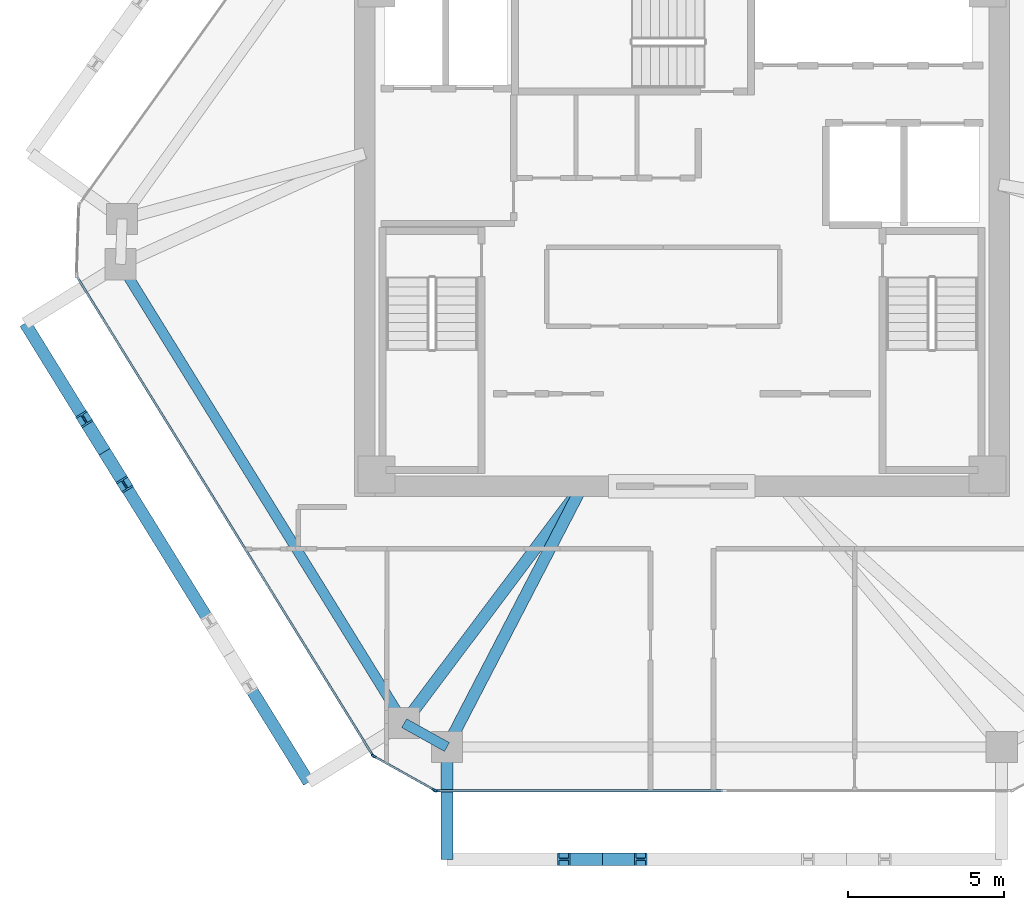
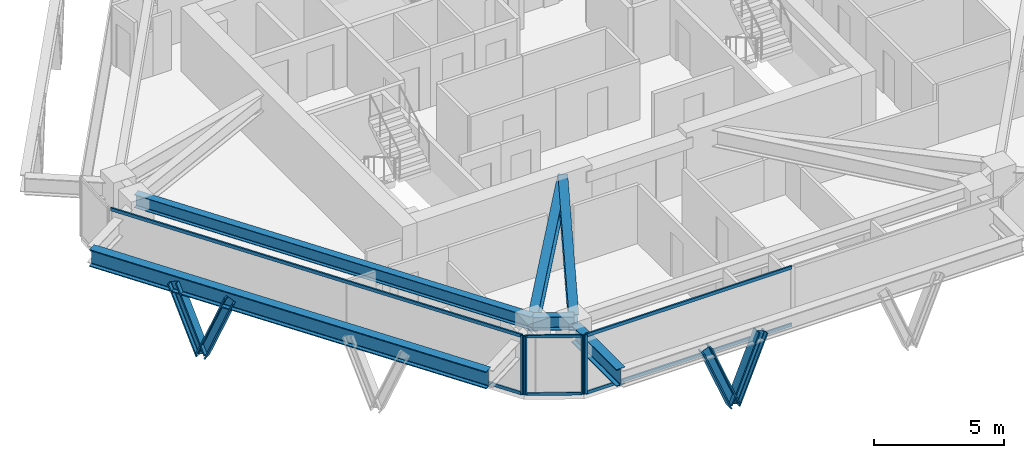
# One storey, part 2 of 12: 14 members, 6 beams, 3 elements without a shape of their own.
"""IFC4 building model written with IfcOpenShell, lengths in metres."""

from ifc_helpers import new_model, si_unit, direction, frame, origin, origin_2d, place, context, subcontext, project, spatial, rectangle, i_section, extrude, source, transform, mapped, material, layer, layer_set, material_profile, profile_set, type_object, type_shapes, element, aggregate, save


model = new_model("IFC4")

# Units and contexts
model_context = context("Model", 3, precision=1e-05, world=origin(), true_north=direction((0.0, 1.0)))
body_context = subcontext(model_context, "Body", "Model", "MODEL_VIEW")
ifc_project = project(units=[si_unit("LENGTHUNIT", "METRE"), si_unit("AREAUNIT", "SQUARE_METRE"), si_unit("VOLUMEUNIT", "CUBIC_METRE"), si_unit("PLANEANGLEUNIT", "RADIAN"), si_unit("MASSUNIT", "GRAM", prefix="KILO")], contexts=[model_context])

# Site, building, storey
site_placement = place(None, origin())
site = spatial("IfcSite", under=ifc_project, at=site_placement, CompositionType="ELEMENT")
building_placement = place(site_placement, origin())
building = spatial("IfcBuilding", under=site, at=building_placement, Name="Durnholm Broadcast Tower", CompositionType="ELEMENT")
storey_placement = place(building_placement, frame((0.0, 0.0, 203.199951171875)))
storey = spatial("IfcBuildingStorey", under=building, at=storey_placement, Name="L56", CompositionType="ELEMENT", Elevation=203.199951171875)

# Beams
ifc_material_1 = material(Name="Steel ASTM A992 Grade 50", Category="steel")
ifc_material_profile_1 = material_profile(ifc_material_1, i_section(OverallWidth=0.385009765625, OverallDepth=0.802978515625, WebThickness=0.023681640625, FlangeThickness=0.0419921875, FilletRadius=0.032958984375, at=origin_2d()), Name="W30X261")
ifc_profile_set_1 = profile_set([ifc_material_profile_1], Name="Steel ASTM A992 Grade 50")
beam_type_1 = type_object("IfcBeamType", Name="BM-EXO-TIE", PredefinedType="USERDEFINED", material=ifc_profile_set_1)
shared_shape_1 = source(origin(), body_context, "Body", "SweptSolid", [
    extrude(i_section(OverallWidth=0.385009765625, OverallDepth=0.802978515625, WebThickness=0.023681640625, FlangeThickness=0.0419921875, FilletRadius=0.032958984375, at=origin_2d()), origin(), (0.0, 0.0, 1.0), 3.4560546875),
])
beam_1_placement = place(storey_placement, frame((-7.53955078125, -16.68603515625, 2.008544921875), z_axis=(0.0, -1.0, 0.0), x_axis=(1.0, 0.0, 0.0)))
element("IfcBeam", 1, at=beam_1_placement, inside=storey, type_object=beam_type_1, Name="L56 exoskeleton stand-off tie bracket F1.1", ObjectType="GIRDER", PredefinedType="USERDEFINED", context=body_context, shape_type="MappedRepresentation", body=[
    mapped(shared_shape_1, transform((0.0, 0.0, 0.0), x_axis=(1.0, 0.0, 0.0), y_axis=(0.0, 1.0, 0.0), z_axis=(0.0, 0.0, 1.0), scale=1.0)),
])
ifc_material_profile_2 = material_profile(ifc_material_1, i_section(OverallWidth=0.3251953125, OverallDepth=0.6162109375, WebThickness=0.013916015625, FlangeThickness=0.021484375, FilletRadius=0.02783203125, at=origin_2d()), Name="W24X117")
ifc_profile_set_2 = profile_set([ifc_material_profile_2], Name="Steel ASTM A992 Grade 50")
beam_type_2 = type_object("IfcBeamType", Name="STL-SP-W24X117", PredefinedType="SPANDREL", material=ifc_profile_set_2)
shared_shape_2 = source(origin(), body_context, "Body", "SweptSolid", [
    extrude(i_section(OverallWidth=0.3251953125, OverallDepth=0.6162109375, WebThickness=0.013916015625, FlangeThickness=0.021484375, FilletRadius=0.02783203125, at=origin_2d()), origin(), (0.0, 0.0, 1.0), 17.3037109375),
])
beam_2_placement = place(storey_placement, frame((-8.91259765625, -15.7763671875, 2.43701171875), z_axis=(-0.525695324718, 0.850672925142, 0.0), x_axis=(-0.850672925142, -0.525695324718, 0.0)))
element("IfcBeam", 2, at=beam_2_placement, inside=storey, type_object=beam_type_2, Name="L56 perimeter spandrel girder 01", PredefinedType="SPANDREL", context=body_context, shape_type="MappedRepresentation", body=[
    mapped(shared_shape_2, transform((0.0, 0.0, 0.0), x_axis=(1.0, 0.0, 0.0), y_axis=(0.0, 1.0, 0.0), z_axis=(0.0, 0.0, 1.0), scale=1.0)),
])
shared_shape_3 = source(origin(), body_context, "Body", "SweptSolid", [
    extrude(i_section(OverallWidth=0.3251953125, OverallDepth=0.6162109375, WebThickness=0.013916015625, FlangeThickness=0.021484375, FilletRadius=0.02783203125, at=origin_2d()), origin(), (0.0, 0.0, 1.0), 1.572021484375),
])
type_shapes(beam_type_2, [shared_shape_2, shared_shape_3])
beam_3_placement = place(storey_placement, frame((-7.53955078125, -16.5419921875, 2.43701171875), z_axis=(-0.873394362663, 0.487013641769, 0.0), x_axis=(-0.487013641769, -0.873394362663, 0.0)))
element("IfcBeam", 3, at=beam_3_placement, inside=storey, type_object=beam_type_2, Name="L56 perimeter spandrel girder 12", PredefinedType="SPANDREL", context=body_context, shape_type="MappedRepresentation", body=[
    mapped(shared_shape_3, transform((0.0, 0.0, 0.0), x_axis=(1.0, 0.0, 0.0), y_axis=(0.0, 1.0, 0.0), z_axis=(0.0, 0.0, 1.0), scale=1.0)),
])
shared_shape_4 = source(origin(), body_context, "Body", "SweptSolid", [
    extrude(i_section(OverallWidth=0.385009765625, OverallDepth=0.802978515625, WebThickness=0.023681640625, FlangeThickness=0.0419921875, FilletRadius=0.032958984375, at=origin_2d()), origin(), (0.0, 0.0, 1.0), 17.303466796875),
])
type_shapes(beam_type_1, [shared_shape_1, shared_shape_4])
beam_4_placement = place(storey_placement, frame((-21.071533203125, -2.94921875, 2.008544921875), z_axis=(0.525701634347, -0.850669025911, 0.0), x_axis=(0.850669025911, 0.525701634347, 0.0)))
element("IfcBeam", 4, at=beam_4_placement, inside=storey, type_object=beam_type_1, Name="L56 exoskeleton collector spandrel F6", PredefinedType="SPANDREL", context=body_context, shape_type="MappedRepresentation", body=[
    mapped(shared_shape_4, transform((0.0, 0.0, 0.0), x_axis=(1.0, 0.0, 0.0), y_axis=(0.0, 1.0, 0.0), z_axis=(0.0, 0.0, 1.0), scale=1.0)),
])
ifc_material_profile_3 = material_profile(ifc_material_1, i_section(OverallWidth=0.380615234375, OverallDepth=0.773193359375, WebThickness=0.0166015625, FlangeThickness=0.027099609375, FilletRadius=0.032958984375, at=origin_2d()), Name="W30X173")
ifc_profile_set_3 = profile_set([ifc_material_profile_3], Name="Steel ASTM A992 Grade 50")
beam_type_3 = type_object("IfcBeamType", Name="STL-GR-W30X173", PredefinedType="USERDEFINED", material=ifc_profile_set_3)
shared_shape_5 = source(origin(), body_context, "Body", "SweptSolid", [
    extrude(i_section(OverallWidth=0.380615234375, OverallDepth=0.773193359375, WebThickness=0.0166015625, FlangeThickness=0.027099609375, FilletRadius=0.032958984375, at=origin_2d()), origin(), (0.0, 0.0, 1.0), 9.508544921875),
])
beam_5_placement = place(storey_placement, frame((-3.199951171875, -8.175048828125, 2.3583984375), z_axis=(-0.600784359039, -0.799411129479, 0.0), x_axis=(0.799411129479, -0.600784359039, 0.0)))
element("IfcBeam", 5, at=beam_5_placement, inside=storey, type_object=beam_type_3, Name="L56 radial primary floor girder 01", ObjectType="GIRDER", PredefinedType="USERDEFINED", context=body_context, shape_type="MappedRepresentation", body=[
    mapped(shared_shape_5, transform((0.0, 0.0, 0.0), x_axis=(1.0, 0.0, 0.0), y_axis=(0.0, 1.0, 0.0), z_axis=(0.0, 0.0, 1.0), scale=1.0)),
])
shared_shape_6 = source(origin(), body_context, "Body", "SweptSolid", [
    extrude(i_section(OverallWidth=0.380615234375, OverallDepth=0.773193359375, WebThickness=0.0166015625, FlangeThickness=0.027099609375, FilletRadius=0.032958984375, at=origin_2d()), origin(), (0.0, 0.0, 1.0), 9.42529296875),
])
type_shapes(beam_type_3, [shared_shape_5, shared_shape_6])
beam_6_placement = place(storey_placement, frame((-3.199951171875, -8.175048828125, 2.3583984375), z_axis=(-0.460416206992, -0.887703169048, 0.0), x_axis=(0.887703169048, -0.460416206992, 0.0)))
element("IfcBeam", 6, at=beam_6_placement, inside=storey, type_object=beam_type_3, Name="L56 radial primary floor girder 12", ObjectType="GIRDER", PredefinedType="USERDEFINED", context=body_context, shape_type="MappedRepresentation", body=[
    mapped(shared_shape_6, transform((0.0, 0.0, 0.0), x_axis=(1.0, 0.0, 0.0), y_axis=(0.0, 1.0, 0.0), z_axis=(0.0, 0.0, 1.0), scale=1.0)),
])

# Members
ifc_material_2 = material(Name="Steel ASTM A913 Grade 65", Category="steel")
ifc_material_profile_4 = material_profile(ifc_material_2, i_section(OverallWidth=0.412109375, OverallDepth=0.434814453125, WebThickness=0.035888671875, FlangeThickness=0.057373046875, FilletRadius=0.030517578125, at=origin_2d()), Name="W14X311")
ifc_profile_set_4 = profile_set([ifc_material_profile_4], Name="Steel ASTM A913 Grade 65")
member_type_1 = type_object("IfcMemberType", Name="STL-DG-W14X311", PredefinedType="BRACE", material=ifc_profile_set_4)
shared_shape_7 = source(origin(), body_context, "Body", "SweptSolid", [
    extrude(i_section(OverallWidth=0.412109375, OverallDepth=0.434814453125, WebThickness=0.035888671875, FlangeThickness=0.057373046875, FilletRadius=0.030517578125, at=origin_2d()), origin(), (0.0, 0.0, 1.0), 3.24365234375),
])
for number, where, z_axis, x_axis, name in (
    (7, (-2.556640625, -20.14208984375, -0.991455078125), (-0.380314428078, 0.0, 0.924857251578), (0.0, -1.0, 0.0), "L56 stand-off diagrid brace F1.D1.1"),
    (8, (-18.5244140625, -7.07080078125, -0.991455078125), (0.19990238351, -0.323561877527, 0.924849581542), (0.850732935913, 0.525598203719, 0.0), "L56 stand-off diagrid brace F6.D1.2"),
):
    element("IfcMember", number, at=place(storey_placement, frame(where, z_axis=z_axis, x_axis=x_axis)), inside=storey, type_object=member_type_1, Name=name, PredefinedType="BRACE", context=body_context, shape_type="MappedRepresentation", body=[
        mapped(shared_shape_7, transform((0.0, 0.0, 0.0), x_axis=(1.0, 0.0, 0.0), y_axis=(0.0, 1.0, 0.0), z_axis=(0.0, 0.0, 1.0), scale=1.0)),
    ])
shared_shape_8 = source(origin(), body_context, "Body", "SweptSolid", [
    extrude(i_section(OverallWidth=0.412109375, OverallDepth=0.434814453125, WebThickness=0.035888671875, FlangeThickness=0.057373046875, FilletRadius=0.030517578125, at=origin_2d()), origin(), (0.0, 0.0, 1.0), 3.243896484375),
])
type_shapes(member_type_1, [shared_shape_7, shared_shape_8])
for number, where, z_axis, x_axis, name in (
    (9, (-2.556640625, -20.14208984375, -0.991455078125), (0.380378804119, 0.0, 0.924830776616), (0.0, 1.0, 0.0), "L56 stand-off diagrid brace F1.D1.2"),
    (10, (-18.5244140625, -7.07080078125, -0.991455078125), (-0.199974638691, 0.323557008556, 0.924835664372), (-0.850644447398, -0.525741404219, 0.0), "L56 stand-off diagrid brace F6.D1.1"),
):
    element("IfcMember", number, at=place(storey_placement, frame(where, z_axis=z_axis, x_axis=x_axis)), inside=storey, type_object=member_type_1, Name=name, PredefinedType="BRACE", context=body_context, shape_type="MappedRepresentation", body=[
        mapped(shared_shape_8, transform((0.0, 0.0, 0.0), x_axis=(1.0, 0.0, 0.0), y_axis=(0.0, 1.0, 0.0), z_axis=(0.0, 0.0, 1.0), scale=1.0)),
    ])

# Curtain wall, members
ifc_material_3 = material(Name="Aluminium and Solar Control IGU", Category="aluminium")
ifc_layer_1 = layer(ifc_material_3, 0.1650390625)
ifc_layer_set_1 = layer_set([ifc_layer_1], Name="Aluminium and Solar Control IGU")
curtain_wall_type_1 = type_object("IfcCurtainWallType", Name="CW-SYS-5", PredefinedType="NOTDEFINED", material=ifc_layer_set_1)
curtain_wall_1_placement = place(storey_placement, origin())
curtain_wall_1 = element("IfcCurtainWall", 11, at=curtain_wall_1_placement, inside=storey, type_object=curtain_wall_type_1, Name="L56 curtain wall CW-CORNER CW-L56-CRN-11", PredefinedType="NOTDEFINED")
ifc_material_4 = material(Name="Aluminium 6063-T6", Category="aluminium")
ifc_material_profile_5 = material_profile(ifc_material_4, rectangle(XDim=0.06494140625, YDim=0.1650390625, at=origin_2d()), Name="CWM65X165")
ifc_profile_set_5 = profile_set([ifc_material_profile_5], Name="Aluminium 6063-T6")
member_type_2 = type_object("IfcMemberType", Name="CW-SYS-5-MUL", PredefinedType="MULLION", material=ifc_profile_set_5)
shared_shape_9 = source(origin(), body_context, "Body", "SweptSolid", [
    extrude(rectangle(XDim=0.06494140625, YDim=0.1650390625, at=origin_2d()), origin(), (0.0, 0.0, 1.0), 2.760009765625),
])
type_shapes(member_type_2, [shared_shape_9])
member_1_placement = place(storey_placement, frame((-7.931884765625, -17.92626953125, 0.0), z_axis=(0.0, 0.0, 1.0), x_axis=(-0.486986043316, -0.873409751271, 0.0)))
member_1 = element("IfcMember", 12, at=member_1_placement, type_object=member_type_2, Name="CW-CORNER mullion 1", PredefinedType="MULLION", context=body_context, shape_type="MappedRepresentation", body=[
    mapped(shared_shape_9, transform((0.0, 0.0, 0.0), x_axis=(1.0, 0.0, 0.0), y_axis=(0.0, 1.0, 0.0), z_axis=(0.0, 0.0, 1.0), scale=1.0)),
])
member_2_placement = place(storey_placement, frame((-9.884033203125, -16.837646484375, 0.0), z_axis=(0.0, 0.0, 1.0), x_axis=(-0.486986043316, -0.873409751271, 0.0)))
member_2 = element("IfcMember", 13, at=member_2_placement, type_object=member_type_2, Name="CW-CORNER mullion 2", PredefinedType="MULLION", context=body_context, shape_type="MappedRepresentation", body=[
    mapped(shared_shape_9, transform((0.0, 0.0, 0.0), x_axis=(1.0, 0.0, 0.0), y_axis=(0.0, 1.0, 0.0), z_axis=(0.0, 0.0, 1.0), scale=1.0)),
])
ifc_material_profile_6 = material_profile(ifc_material_4, rectangle(XDim=0.06494140625, YDim=0.1298828125, at=origin_2d()), Name="CWT65X130")
ifc_profile_set_6 = profile_set([ifc_material_profile_6], Name="Aluminium 6063-T6")
member_type_3 = type_object("IfcMemberType", Name="CW-SYS-5-TRN", PredefinedType="USERDEFINED", material=ifc_profile_set_6)
shared_shape_10 = source(origin(), body_context, "Body", "SweptSolid", [
    extrude(rectangle(XDim=0.06494140625, YDim=0.1298828125, at=origin_2d()), origin(), (0.0, 0.0, 1.0), 2.169921875),
])
type_shapes(member_type_3, [shared_shape_10])
member_3_placement = place(storey_placement, frame((-7.960205078125, -17.910400390625, 0.032470703125), z_axis=(-0.873381360539, 0.487036958621, 0.0), x_axis=(-0.487036958621, -0.873381360539, 0.0)))
member_3 = element("IfcMember", 14, at=member_3_placement, type_object=member_type_3, Name="CW-CORNER transom 1.1", ObjectType="TRANSOM", PredefinedType="USERDEFINED", context=body_context, shape_type="MappedRepresentation", body=[
    mapped(shared_shape_10, transform((0.0, 0.0, 0.0), x_axis=(1.0, 0.0, 0.0), y_axis=(0.0, 1.0, 0.0), z_axis=(0.0, 0.0, 1.0), scale=1.0)),
])
member_4_placement = place(storey_placement, frame((-7.960205078125, -17.910400390625, 2.7275390625), z_axis=(-0.873381360539, 0.487036958621, 0.0), x_axis=(-0.487036958621, -0.873381360539, 0.0)))
member_4 = element("IfcMember", 15, at=member_4_placement, type_object=member_type_3, Name="CW-CORNER transom 1.2", ObjectType="TRANSOM", PredefinedType="USERDEFINED", context=body_context, shape_type="MappedRepresentation", body=[
    mapped(shared_shape_10, transform((0.0, 0.0, 0.0), x_axis=(1.0, 0.0, 0.0), y_axis=(0.0, 1.0, 0.0), z_axis=(0.0, 0.0, 1.0), scale=1.0)),
])
aggregate(curtain_wall_1, [member_1, member_2, member_3, member_4])

ifc_layer_2 = layer(ifc_material_3, 0.18994140625)
ifc_layer_set_2 = layer_set([ifc_layer_2], Name="Aluminium and Solar Control IGU")
curtain_wall_type_2 = type_object("IfcCurtainWallType", Name="CW-SYS-4", PredefinedType="NOTDEFINED", material=ifc_layer_set_2)
curtain_wall_2_placement = place(storey_placement, origin())
curtain_wall_2 = element("IfcCurtainWall", 16, at=curtain_wall_2_placement, inside=storey, type_object=curtain_wall_type_2, Name="L56 curtain wall CW-Z34-VIS CW-L56-F10", PredefinedType="NOTDEFINED")
ifc_material_profile_7 = material_profile(ifc_material_4, rectangle(XDim=0.070068359375, YDim=0.14990234375, at=origin_2d()), Name="CWT70X150")
ifc_profile_set_7 = profile_set([ifc_material_profile_7], Name="Aluminium 6063-T6")
member_type_4 = type_object("IfcMemberType", Name="CW-SYS-4-TRN", PredefinedType="USERDEFINED", material=ifc_profile_set_7)
shared_shape_11 = source(origin(), body_context, "Body", "SweptSolid", [
    extrude(rectangle(XDim=0.070068359375, YDim=0.14990234375, at=origin_2d()), origin(), (0.0, 0.0, 1.0), 9.14453125),
])
member_5_placement = place(storey_placement, frame((1.31103515625, -17.94189453125, 0.03515625), z_axis=(-1.0, 0.0, 0.0), x_axis=(0.0, -1.0, 0.0)))
member_5 = element("IfcMember", 17, at=member_5_placement, type_object=member_type_4, Name="CW-Z34-VIS transom 2.1", ObjectType="TRANSOM", PredefinedType="USERDEFINED", context=body_context, shape_type="MappedRepresentation", body=[
    mapped(shared_shape_11, transform((0.0, 0.0, 0.0), x_axis=(1.0, 0.0, 0.0), y_axis=(0.0, 1.0, 0.0), z_axis=(0.0, 0.0, 1.0), scale=1.0)),
])
member_6_placement = place(storey_placement, frame((1.31103515625, -17.94189453125, 2.72509765625), z_axis=(-1.0, 0.0, 0.0), x_axis=(0.0, -1.0, 0.0)))
member_6 = element("IfcMember", 18, at=member_6_placement, type_object=member_type_4, Name="CW-Z34-VIS transom 2.2", ObjectType="TRANSOM", PredefinedType="USERDEFINED", context=body_context, shape_type="MappedRepresentation", body=[
    mapped(shared_shape_11, transform((0.0, 0.0, 0.0), x_axis=(1.0, 0.0, 0.0), y_axis=(0.0, 1.0, 0.0), z_axis=(0.0, 0.0, 1.0), scale=1.0)),
])

curtain_wall_3_placement = place(storey_placement, origin())
curtain_wall_3 = element("IfcCurtainWall", 19, at=curtain_wall_3_placement, inside=storey, type_object=curtain_wall_type_2, Name="L56 curtain wall CW-Z34-VIS CW-L56-F12", PredefinedType="NOTDEFINED")
shared_shape_12 = source(origin(), body_context, "Body", "SweptSolid", [
    extrude(rectangle(XDim=0.070068359375, YDim=0.14990234375, at=origin_2d()), origin(), (0.0, 0.0, 1.0), 17.951171875),
])
type_shapes(member_type_4, [shared_shape_11, shared_shape_12])
member_7_placement = place(storey_placement, frame((-9.94921875, -16.762451171875, 0.03515625), z_axis=(-0.525693813807, 0.850673858847, 0.0), x_axis=(-0.850673858847, -0.525693813807, 0.0)))
member_7 = element("IfcMember", 20, at=member_7_placement, type_object=member_type_4, Name="CW-Z34-VIS transom 1.1", ObjectType="TRANSOM", PredefinedType="USERDEFINED", context=body_context, shape_type="MappedRepresentation", body=[
    mapped(shared_shape_12, transform((0.0, 0.0, 0.0), x_axis=(1.0, 0.0, 0.0), y_axis=(0.0, 1.0, 0.0), z_axis=(0.0, 0.0, 1.0), scale=1.0)),
])
member_8_placement = place(storey_placement, frame((-9.94921875, -16.762451171875, 2.72509765625), z_axis=(-0.525693813807, 0.850673858847, 0.0), x_axis=(-0.850673858847, -0.525693813807, 0.0)))
member_8 = element("IfcMember", 21, at=member_8_placement, type_object=member_type_4, Name="CW-Z34-VIS transom 1.2", ObjectType="TRANSOM", PredefinedType="USERDEFINED", context=body_context, shape_type="MappedRepresentation", body=[
    mapped(shared_shape_12, transform((0.0, 0.0, 0.0), x_axis=(1.0, 0.0, 0.0), y_axis=(0.0, 1.0, 0.0), z_axis=(0.0, 0.0, 1.0), scale=1.0)),
])

# Member
ifc_material_profile_8 = material_profile(ifc_material_4, rectangle(XDim=0.070068359375, YDim=0.18994140625, at=origin_2d()), Name="CWM70X190")
ifc_profile_set_8 = profile_set([ifc_material_profile_8], Name="Aluminium 6063-T6")
member_type_5 = type_object("IfcMemberType", Name="CW-SYS-4-MUL", PredefinedType="MULLION", material=ifc_profile_set_8)
shared_shape_13 = source(origin(), body_context, "Body", "SweptSolid", [
    extrude(rectangle(XDim=0.070068359375, YDim=0.18994140625, at=origin_2d()), origin(), (0.0, 0.0, 1.0), 2.760009765625),
])
type_shapes(member_type_5, [shared_shape_13])
member_9_placement = place(storey_placement, frame((-7.868408203125, -17.94189453125, 0.0), z_axis=(0.0, 0.0, 1.0), x_axis=(0.0, -1.0, 0.0)))
member_9 = element("IfcMember", 22, at=member_9_placement, type_object=member_type_5, Name="CW-Z34-VIS mullion 3", PredefinedType="MULLION", context=body_context, shape_type="MappedRepresentation", body=[
    mapped(shared_shape_13, transform((0.0, 0.0, 0.0), x_axis=(1.0, 0.0, 0.0), y_axis=(0.0, 1.0, 0.0), z_axis=(0.0, 0.0, 1.0), scale=1.0)),
])

aggregate(curtain_wall_2, [member_9, member_5, member_6])

member_10_placement = place(storey_placement, frame((-9.9306640625, -16.792236328125, 0.0), z_axis=(0.0, 0.0, 1.0), x_axis=(-0.850671426092, -0.525697750452, 0.0)))
member_10 = element("IfcMember", 23, at=member_10_placement, type_object=member_type_5, Name="CW-Z34-VIS mullion 1", PredefinedType="MULLION", context=body_context, shape_type="MappedRepresentation", body=[
    mapped(shared_shape_13, transform((0.0, 0.0, 0.0), x_axis=(1.0, 0.0, 0.0), y_axis=(0.0, 1.0, 0.0), z_axis=(0.0, 0.0, 1.0), scale=1.0)),
])

aggregate(curtain_wall_3, [member_10, member_7, member_8])

save(model, "model.ifc")
